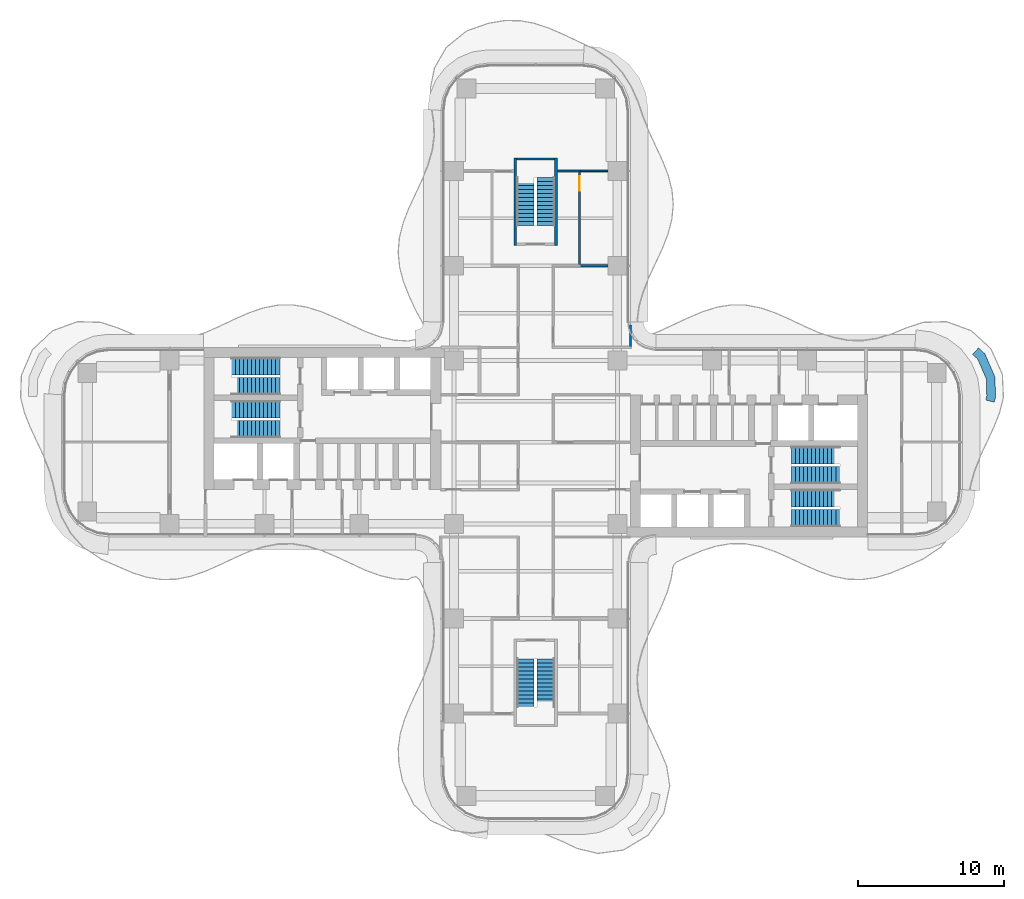
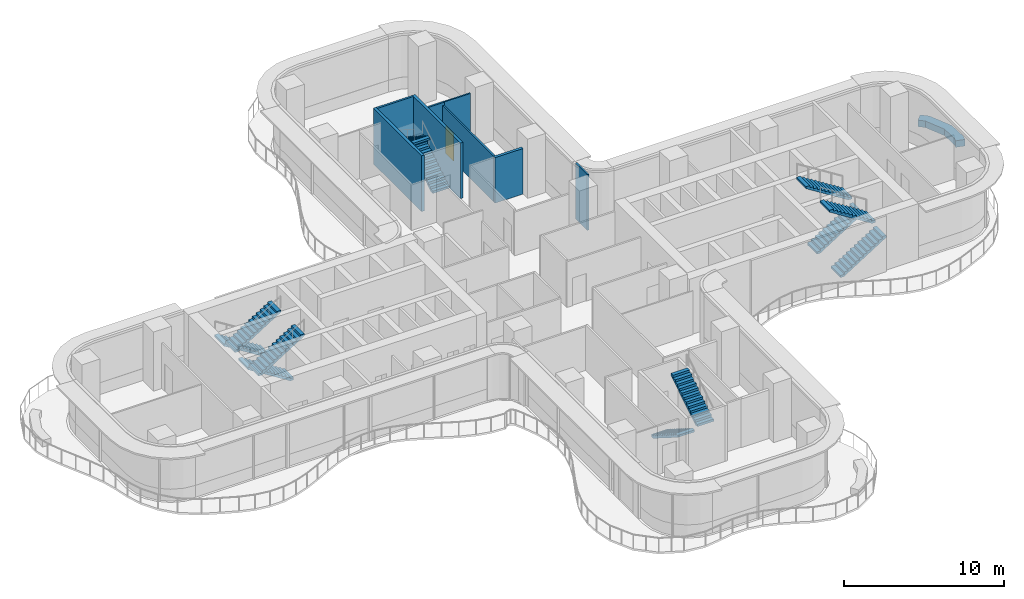
# One storey, part 18 of 20: 12 stair flights, 9 walls, 1 door, 1 opening, 6 elements without a shape of their own.
"""IFC4 building model written with IfcOpenShell, lengths in metres."""

from ifc_helpers import new_model, si_unit, direction, frame, frame_2d, origin, place, context, subcontext, project, spatial, polyline, rectangle, outline, extrude, source, transform, mapped, material, layer, layer_set, type_object, element, fill, aggregate, save


model = new_model("IFC4")

# Units and contexts
model_context = context("Model", 3, precision=1e-05, world=origin(), true_north=direction((0.0, 1.0)))
body_context = subcontext(model_context, "Body", "Model", "MODEL_VIEW")
ifc_project = project(units=[si_unit("LENGTHUNIT", "METRE"), si_unit("AREAUNIT", "SQUARE_METRE"), si_unit("VOLUMEUNIT", "CUBIC_METRE"), si_unit("PLANEANGLEUNIT", "RADIAN"), si_unit("MASSUNIT", "GRAM", prefix="KILO")], contexts=[model_context])

# Site, building, storey
site_placement = place(None, origin())
site = spatial("IfcSite", under=ifc_project, at=site_placement, CompositionType="ELEMENT")
building_placement = place(site_placement, origin())
building = spatial("IfcBuilding", under=site, at=building_placement, Name="Trellis Farm Tower", CompositionType="ELEMENT")
storey_placement = place(building_placement, frame((0.0, 0.0, 142.5)))
storey = spatial("IfcBuildingStorey", under=building, at=storey_placement, Name="L30", CompositionType="ELEMENT", Elevation=142.5)

# Walls
ifc_material_1 = material(Name="Sandstone faced masonry planter", Category="masonry")
ifc_layer_1 = layer(ifc_material_1, 0.60009765625)
ifc_layer_set_1 = layer_set([ifc_layer_1], Name="PLANTER BED 600")
wall_type_1 = type_object("IfcWallType", Name="PLANTER BED 600", PredefinedType="USERDEFINED", material=ifc_layer_set_1)
placement = place(storey_placement, origin())
element("IfcWall", 1, at=placement, inside=storey, type_object=wall_type_1, Name="PLANTER bed", ObjectType="PLANTER", PredefinedType="USERDEFINED", context=body_context, shape_type="SweptSolid", body=[
    extrude(outline(polyline([(30.803466796875, 6.05908203125), (31.489501953125, 4.481689453125), (31.53515625, 3.10302734375), (31.440185546875, 2.739501953125), (30.859619140625, 2.890625), (30.9326171875, 3.170166015625), (30.893798828125, 4.347412109375), (30.303955078125, 5.703369140625), (29.955810546875, 6.023193359375), (30.36181640625, 6.465087890625), (30.803466796875, 6.05908203125)])), origin(), (0.0, 0.0, 1.0), 0.5),
])
ifc_material_2 = material(Name="Concrete C70/85", Category="concrete")
ifc_layer_2 = layer(ifc_material_2, 0.199951171875)
ifc_layer_set_2 = layer_set([ifc_layer_2], Name="CORE STAIR ENCLOSURE WALL 200 CONCRETE C70/85")
wall_type_2 = type_object("IfcWallType", Name="CORE STAIR ENCLOSURE WALL 200 CONCRETE C70/85", PredefinedType="SHEAR", material=ifc_layer_set_2)
shared_shape_1 = source(origin(), body_context, "Body", "SweptSolid", [
    extrude(rectangle(XDim=6.0, YDim=0.199951171875, at=frame_2d((3.0, 0.0))), origin(), (0.0, 0.0, 1.0), 4.25),
])
for number, where, z_axis, x_axis, name in (
    (2, (-1.39990234375, 13.5, 0.0), (0.0, 0.0, 1.0), (0.0, 1.0, 0.0), "Stair enclosure wall"),
    (3, (1.39990234375, 13.5, 0.0), (0.0, 0.0, 1.0), (0.0, 1.0, 0.0), "Stair enclosure wall"),
):
    element("IfcWall", number, at=place(storey_placement, frame(where, z_axis=z_axis, x_axis=x_axis)), inside=storey, type_object=wall_type_2, Name=name, PredefinedType="SHEAR", context=body_context, shape_type="MappedRepresentation", body=[
        mapped(shared_shape_1, transform((0.0, 0.0, 0.0))),
    ])
ifc_layer_3 = layer(ifc_material_2, 0.14990234375)
ifc_layer_set_3 = layer_set([ifc_layer_3], Name="CORE STAIR ENCLOSURE WALL 150 CONCRETE C70/85")
wall_type_3 = type_object("IfcWallType", Name="CORE STAIR ENCLOSURE WALL 150 CONCRETE C70/85", PredefinedType="SHEAR", material=ifc_layer_set_3)
shared_shape_2 = source(origin(), body_context, "Body", "SweptSolid", [
    extrude(rectangle(XDim=2.60009765625, YDim=0.14990234375, at=frame_2d((1.300048828125, 0.0))), origin(), (0.0, 0.0, 1.0), 4.25),
])
wall_2_placement = place(storey_placement, frame((-1.300048828125, 19.425048828125, 0.0), z_axis=(0.0, 0.0, 1.0), x_axis=(1.0, 0.0, 0.0)))
element("IfcWall", 4, at=wall_2_placement, inside=storey, type_object=wall_type_3, Name="Stair enclosure wall", PredefinedType="SHEAR", context=body_context, shape_type="MappedRepresentation", body=[
    mapped(shared_shape_2, transform((0.0, 0.0, 0.0))),
])

# Wall, opening, door
ifc_material_3 = material(Name="Plasterboard on steel studs, mineral wool", Category="steel")
ifc_layer_4 = layer(ifc_material_3, 0.125)
ifc_layer_set_4 = layer_set([ifc_layer_4], Name="PARTITION 125 STUD EI 60")
wall_type_4 = type_object("IfcWallType", Name="PARTITION 125 STUD EI 60", PredefinedType="PARTITIONING", material=ifc_layer_set_4)
shared_shape_3 = source(origin(), body_context, "Body", "SweptSolid", [
    extrude(rectangle(XDim=6.35009765625, YDim=0.125, at=frame_2d((3.175048828125, 0.0))), origin(), (0.0, 0.0, 1.0), 3.4677734375),
])
wall_3_placement = place(storey_placement, frame((3.0, 18.550048828125, 0.0), z_axis=(0.0, 0.0, 1.0), x_axis=(0.0, -1.0, 0.0)))
wall_3 = element("IfcWall", 5, at=wall_3_placement, inside=storey, type_object=wall_type_4, Name="Partition PW1", PredefinedType="PARTITIONING", context=body_context, shape_type="MappedRepresentation", body=[
    mapped(shared_shape_3, transform((0.0, 0.0, 0.0))),
])
shared_shape_4 = source(origin(), body_context, "Body", "SweptSolid", [
    extrude(rectangle(XDim=1.0, YDim=2.10009765625, at=frame_2d((0.5, 1.050048828125))), frame((0.0, 0.072509765625, 0.0), z_axis=(0.0, -1.0, 0.0), x_axis=(1.0, 0.0, 0.0)), (0.0, 0.0, 1.0), 0.14501953125),
])
opening_placement = place(wall_3_placement, frame((0.300048828125, 0.0, 0.0)))
opening = element("IfcOpeningElement", 6, at=opening_placement, cuts=wall_3, Name="Opening D113", PredefinedType="OPENING", context=body_context, shape_type="MappedRepresentation", body=[
    mapped(shared_shape_4, transform((0.0, 0.0, 0.0))),
])
ifc_material_4 = material(Name="Fire-rated timber door leaf in a hollow metal frame", Category="wood")
door_type = type_object("IfcDoorType", Name="DOOR 1000x2100 FD30S", OperationType="NOTDEFINED", PredefinedType="DOOR", material=ifc_material_4)
shared_shape_5 = source(origin(), body_context, "Body", "SweptSolid", [
    extrude(rectangle(XDim=1.0, YDim=2.10009765625, at=frame_2d((0.5, 1.050048828125))), frame((0.0, 0.02490234375, 0.0), z_axis=(0.0, -1.0, 0.0), x_axis=(1.0, 0.0, 0.0)), (0.0, 0.0, 1.0), 0.050048828125),
])
door_placement = place(opening_placement, origin())
door = element("IfcDoor", 7, at=door_placement, inside=storey, type_object=door_type, Name="Door D113", OperationType="SINGLE_SWING_LEFT", OverallHeight=2.10009765625, OverallWidth=1.0, PredefinedType="DOOR", context=body_context, shape_type="MappedRepresentation", body=[
    mapped(shared_shape_5, transform((0.0, 0.0, 0.0))),
])
fill(opening, door)

# Walls
shared_shape_6 = source(origin(), body_context, "Body", "SweptSolid", [
    extrude(rectangle(XDim=1.468994140625, YDim=0.125, at=frame_2d((0.734375, 0.0))), origin(), (0.0, 0.0, 1.0), 4.25),
])
wall_4_placement = place(storey_placement, frame((6.5, 6.5625, 0.0), z_axis=(0.0, 0.0, 1.0), x_axis=(0.0, 1.0, 0.0)))
element("IfcWall", 8, at=wall_4_placement, inside=storey, type_object=wall_type_4, Name="Partition PW1", PredefinedType="PARTITIONING", context=body_context, shape_type="MappedRepresentation", body=[
    mapped(shared_shape_6, transform((0.0, 0.0, 0.0))),
])
shared_shape_7 = source(origin(), body_context, "Body", "SweptSolid", [
    extrude(rectangle(XDim=1.5625, YDim=0.125, at=frame_2d((0.78125, 0.0))), origin(), (0.0, 0.0, 1.0), 3.697021484375),
])
wall_5_placement = place(storey_placement, frame((1.5, 18.60009765625, 0.0), z_axis=(0.0, 0.0, 1.0), x_axis=(1.0, 0.0, 0.0)))
element("IfcWall", 9, at=wall_5_placement, inside=storey, type_object=wall_type_4, Name="Partition PW1", PredefinedType="PARTITIONING", context=body_context, shape_type="MappedRepresentation", body=[
    mapped(shared_shape_7, transform((0.0, 0.0, 0.0))),
])
ifc_material_5 = material(Name="Plasterboard on steel studs", Category="steel")
ifc_layer_5 = layer(ifc_material_5, 0.10009765625)
ifc_layer_set_5 = layer_set([ifc_layer_5], Name="PARTITION 100 STUD EI 30")
wall_type_5 = type_object("IfcWallType", Name="PARTITION 100 STUD EI 30", PredefinedType="PARTITIONING", material=ifc_layer_set_5)
shared_shape_8 = source(origin(), body_context, "Body", "SweptSolid", [
    extrude(rectangle(XDim=2.012451171875, YDim=0.10009765625, at=frame_2d((1.00634765625, 0.0))), origin(), (0.0, 0.0, 1.0), 3.697021484375),
])
wall_6_placement = place(storey_placement, frame((2.9375, 18.60009765625, 0.0), z_axis=(0.0, 0.0, 1.0), x_axis=(1.0, 0.0, 0.0)))
element("IfcWall", 10, at=wall_6_placement, inside=storey, type_object=wall_type_5, Name="Partition PW2", PredefinedType="PARTITIONING", context=body_context, shape_type="MappedRepresentation", body=[
    mapped(shared_shape_8, transform((0.0, 0.0, 0.0))),
])
ifc_material_6 = material(Name="Lightweight blockwork, plastered", Category="masonry")
ifc_layer_6 = layer(ifc_material_6, 0.199951171875)
ifc_layer_set_6 = layer_set([ifc_layer_6], Name="BLOCK WALL 200 EI 120")
wall_type_6 = type_object("IfcWallType", Name="BLOCK WALL 200 EI 120", PredefinedType="PARTITIONING", material=ifc_layer_set_6)
shared_shape_9 = source(origin(), body_context, "Body", "SweptSolid", [
    extrude(rectangle(XDim=2.012451171875, YDim=0.199951171875, at=frame_2d((1.00634765625, 0.0))), origin(), (0.0, 0.0, 1.0), 3.4677734375),
])
wall_7_placement = place(storey_placement, frame((2.9375, 12.10009765625, 0.0), z_axis=(0.0, 0.0, 1.0), x_axis=(1.0, 0.0, 0.0)))
element("IfcWall", 11, at=wall_7_placement, inside=storey, type_object=wall_type_6, Name="Partition PW3", PredefinedType="PARTITIONING", context=body_context, shape_type="MappedRepresentation", body=[
    mapped(shared_shape_9, transform((0.0, 0.0, 0.0))),
])

# Stair, stair flights
ifc_material_7 = material(Name="Concrete C50/60", Category="concrete")
stair_type = type_object("IfcStairType", Name="CORE EXIT STAIR 26 RISERS 173 MM", PredefinedType="HALF_TURN_STAIR", material=ifc_material_7)
stair_1 = element("IfcStair", 12, at=placement, inside=storey, type_object=stair_type, Name="Exit stair N", PredefinedType="HALF_TURN_STAIR")
stair_flight_type = type_object("IfcStairFlightType", Name="STAIR FLIGHT 13 RISERS 173 MM", PredefinedType="STRAIGHT", material=ifc_material_7)
shared_shape_10 = source(origin(), body_context, "Body", "SweptSolid", [
    extrude(outline(polyline([(0.0, 0.0), (0.0, 0.173095703125), (0.27490234375, 0.173095703125), (0.27490234375, 0.34619140625), (0.550048828125, 0.34619140625), (0.550048828125, 0.519287109375), (0.824951171875, 0.519287109375), (0.824951171875, 0.6923828125), (1.10009765625, 0.6923828125), (1.10009765625, 0.865478515625), (1.375, 0.865478515625), (1.375, 1.03857421875), (1.64990234375, 1.03857421875), (1.64990234375, 1.21142578125), (1.925048828125, 1.21142578125), (1.925048828125, 1.384521484375), (2.199951171875, 1.384521484375), (2.199951171875, 1.5576171875), (2.47509765625, 1.5576171875), (2.47509765625, 1.730712890625), (2.75, 1.730712890625), (2.75, 1.90380859375), (3.02490234375, 1.90380859375), (3.02490234375, 2.076904296875), (3.300048828125, 2.076904296875), (3.300048828125, 2.25), (3.300048828125, 1.92333984375), (0.243896484375, 0.0), (0.0, 0.0)])), frame((0.0, 0.60009765625, 0.0), z_axis=(0.0, -1.0, 0.0), x_axis=(1.0, 0.0, 0.0)), (0.0, 0.0, 1.0), 1.199951171875),
])
stair_flight_1_placement = place(storey_placement, frame((0.699951171875, 14.85009765625, 0.0), z_axis=(0.0, 0.0, 1.0), x_axis=(0.0, 1.0, 0.0)))
stair_flight_1 = element("IfcStairFlight", 13, at=stair_flight_1_placement, type_object=stair_flight_type, Name="STN flight 1", NumberOfRisers=13, NumberOfTreads=12, PredefinedType="STRAIGHT", RiserHeight=0.173076923, TreadLength=0.275, context=body_context, shape_type="MappedRepresentation", body=[
    mapped(shared_shape_10, transform((0.0, 0.0, 0.0))),
])
stair_flight_2_placement = place(storey_placement, frame((-0.699951171875, 18.14990234375, 2.25), z_axis=(0.0, 0.0, 1.0), x_axis=(0.0, -1.0, 0.0)))
stair_flight_2 = element("IfcStairFlight", 14, at=stair_flight_2_placement, type_object=stair_flight_type, Name="STN flight 2", NumberOfRisers=13, NumberOfTreads=12, PredefinedType="STRAIGHT", RiserHeight=0.173076923, TreadLength=0.275, context=body_context, shape_type="MappedRepresentation", body=[
    mapped(shared_shape_10, transform((0.0, 0.0, 0.0))),
])
aggregate(stair_1, [stair_flight_1, stair_flight_2])

stair_2 = element("IfcStair", 15, at=placement, inside=storey, type_object=stair_type, Name="Exit stair S", PredefinedType="HALF_TURN_STAIR")
stair_flight_3_placement = place(storey_placement, frame((-0.699951171875, -14.85009765625, 0.0), z_axis=(0.0, 0.0, 1.0), x_axis=(0.0, -1.0, 0.0)))
stair_flight_3 = element("IfcStairFlight", 16, at=stair_flight_3_placement, type_object=stair_flight_type, Name="STS flight 1", NumberOfRisers=13, NumberOfTreads=12, PredefinedType="STRAIGHT", RiserHeight=0.173076923, TreadLength=0.275, context=body_context, shape_type="MappedRepresentation", body=[
    mapped(shared_shape_10, transform((0.0, 0.0, 0.0))),
])
stair_flight_4_placement = place(storey_placement, frame((0.699951171875, -18.14990234375, 2.25), z_axis=(0.0, 0.0, 1.0), x_axis=(0.0, 1.0, 0.0)))
stair_flight_4 = element("IfcStairFlight", 17, at=stair_flight_4_placement, type_object=stair_flight_type, Name="STS flight 2", NumberOfRisers=13, NumberOfTreads=12, PredefinedType="STRAIGHT", RiserHeight=0.173076923, TreadLength=0.275, context=body_context, shape_type="MappedRepresentation", body=[
    mapped(shared_shape_10, transform((0.0, 0.0, 0.0))),
])
aggregate(stair_2, [stair_flight_3, stair_flight_4])

stair_3 = element("IfcStair", 18, at=placement, inside=storey, type_object=stair_type, Name="Exit stair E1", PredefinedType="HALF_TURN_STAIR")
stair_flight_5_placement = place(storey_placement, frame((17.550048828125, -5.199951171875, 0.0), z_axis=(0.0, 0.0, 1.0), x_axis=(1.0, 0.0, 0.0)))
stair_flight_5 = element("IfcStairFlight", 19, at=stair_flight_5_placement, type_object=stair_flight_type, Name="STE1 flight 1", NumberOfRisers=13, NumberOfTreads=12, PredefinedType="STRAIGHT", RiserHeight=0.173076923, TreadLength=0.275, context=body_context, shape_type="MappedRepresentation", body=[
    mapped(shared_shape_10, transform((0.0, 0.0, 0.0))),
])
stair_flight_6_placement = place(storey_placement, frame((20.85009765625, -3.85009765625, 2.25), z_axis=(0.0, 0.0, 1.0), x_axis=(-1.0, 0.0, 0.0)))
stair_flight_6 = element("IfcStairFlight", 20, at=stair_flight_6_placement, type_object=stair_flight_type, Name="STE1 flight 2", NumberOfRisers=13, NumberOfTreads=12, PredefinedType="STRAIGHT", RiserHeight=0.173076923, TreadLength=0.275, context=body_context, shape_type="MappedRepresentation", body=[
    mapped(shared_shape_10, transform((0.0, 0.0, 0.0))),
])
aggregate(stair_3, [stair_flight_5, stair_flight_6])

stair_4 = element("IfcStair", 21, at=placement, inside=storey, type_object=stair_type, Name="Exit stair E2", PredefinedType="HALF_TURN_STAIR")
stair_flight_7_placement = place(storey_placement, frame((17.550048828125, -2.25, 0.0), z_axis=(0.0, 0.0, 1.0), x_axis=(1.0, 0.0, 0.0)))
stair_flight_7 = element("IfcStairFlight", 22, at=stair_flight_7_placement, type_object=stair_flight_type, Name="STE2 flight 1", NumberOfRisers=13, NumberOfTreads=12, PredefinedType="STRAIGHT", RiserHeight=0.173076923, TreadLength=0.275, context=body_context, shape_type="MappedRepresentation", body=[
    mapped(shared_shape_10, transform((0.0, 0.0, 0.0))),
])
stair_flight_8_placement = place(storey_placement, frame((20.85009765625, -0.89990234375, 2.25), z_axis=(0.0, 0.0, 1.0), x_axis=(-1.0, 0.0, 0.0)))
stair_flight_8 = element("IfcStairFlight", 23, at=stair_flight_8_placement, type_object=stair_flight_type, Name="STE2 flight 2", NumberOfRisers=13, NumberOfTreads=12, PredefinedType="STRAIGHT", RiserHeight=0.173076923, TreadLength=0.275, context=body_context, shape_type="MappedRepresentation", body=[
    mapped(shared_shape_10, transform((0.0, 0.0, 0.0))),
])
aggregate(stair_4, [stair_flight_7, stair_flight_8])

stair_5 = element("IfcStair", 24, at=placement, inside=storey, type_object=stair_type, Name="Exit stair W1", PredefinedType="HALF_TURN_STAIR")
stair_flight_9_placement = place(storey_placement, frame((-17.550048828125, 5.199951171875, 0.0), z_axis=(0.0, 0.0, 1.0), x_axis=(-1.0, 0.0, 0.0)))
stair_flight_9 = element("IfcStairFlight", 25, at=stair_flight_9_placement, type_object=stair_flight_type, Name="STW1 flight 1", NumberOfRisers=13, NumberOfTreads=12, PredefinedType="STRAIGHT", RiserHeight=0.173076923, TreadLength=0.275, context=body_context, shape_type="MappedRepresentation", body=[
    mapped(shared_shape_10, transform((0.0, 0.0, 0.0))),
])
stair_flight_10_placement = place(storey_placement, frame((-20.85009765625, 3.85009765625, 2.25), z_axis=(0.0, 0.0, 1.0), x_axis=(1.0, 0.0, 0.0)))
stair_flight_10 = element("IfcStairFlight", 26, at=stair_flight_10_placement, type_object=stair_flight_type, Name="STW1 flight 2", NumberOfRisers=13, NumberOfTreads=12, PredefinedType="STRAIGHT", RiserHeight=0.173076923, TreadLength=0.275, context=body_context, shape_type="MappedRepresentation", body=[
    mapped(shared_shape_10, transform((0.0, 0.0, 0.0))),
])
aggregate(stair_5, [stair_flight_9, stair_flight_10])

stair_6 = element("IfcStair", 27, at=placement, inside=storey, type_object=stair_type, Name="Exit stair W2", PredefinedType="HALF_TURN_STAIR")
stair_flight_11_placement = place(storey_placement, frame((-17.550048828125, 2.25, 0.0), z_axis=(0.0, 0.0, 1.0), x_axis=(-1.0, 0.0, 0.0)))
stair_flight_11 = element("IfcStairFlight", 28, at=stair_flight_11_placement, type_object=stair_flight_type, Name="STW2 flight 1", NumberOfRisers=13, NumberOfTreads=12, PredefinedType="STRAIGHT", RiserHeight=0.173076923, TreadLength=0.275, context=body_context, shape_type="MappedRepresentation", body=[
    mapped(shared_shape_10, transform((0.0, 0.0, 0.0))),
])
stair_flight_12_placement = place(storey_placement, frame((-20.85009765625, 0.89990234375, 2.25), z_axis=(0.0, 0.0, 1.0), x_axis=(1.0, 0.0, 0.0)))
stair_flight_12 = element("IfcStairFlight", 29, at=stair_flight_12_placement, type_object=stair_flight_type, Name="STW2 flight 2", NumberOfRisers=13, NumberOfTreads=12, PredefinedType="STRAIGHT", RiserHeight=0.173076923, TreadLength=0.275, context=body_context, shape_type="MappedRepresentation", body=[
    mapped(shared_shape_10, transform((0.0, 0.0, 0.0))),
])
aggregate(stair_6, [stair_flight_11, stair_flight_12])

save(model, "model.ifc")
